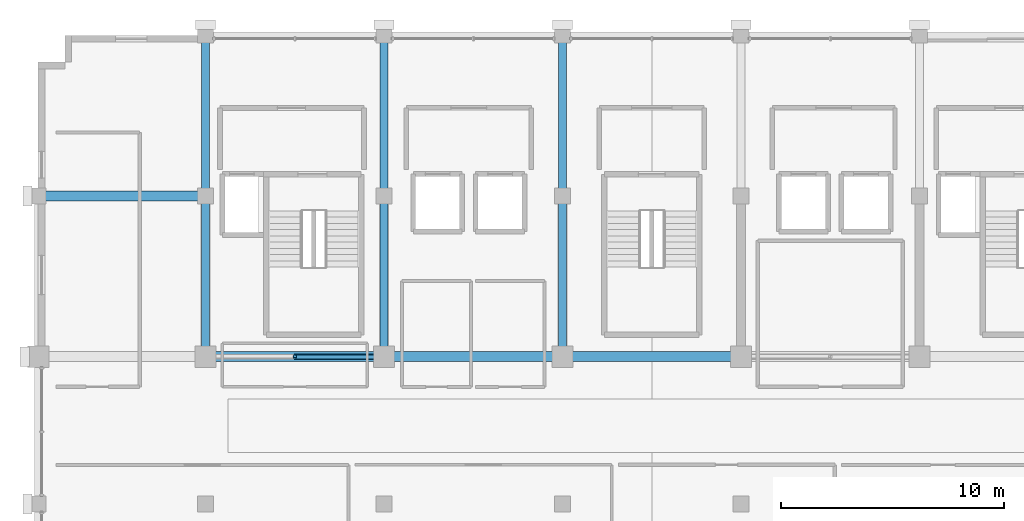
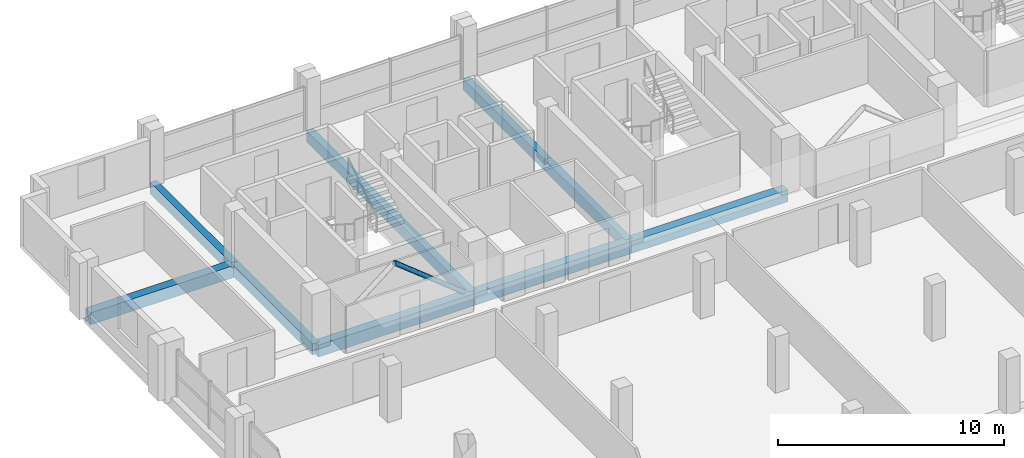
# One storey, part 13 of 25: 10 beams, 1 member.
"""IFC4 building model written with IfcOpenShell, lengths in metres."""

from ifc_helpers import new_model, si_unit, direction, frame, origin, origin_2d, place, context, subcontext, project, spatial, rectangle, hollow_circle, extrude, material, material_profile, profile_set, type_object, element, save


model = new_model("IFC4")

# Units and contexts
model_context = context("Model", 3, precision=1e-05, world=origin(), true_north=direction((0.0, 1.0)))
body_context = subcontext(model_context, "Body", "Model", "MODEL_VIEW")
ifc_project = project(units=[si_unit("LENGTHUNIT", "METRE"), si_unit("AREAUNIT", "SQUARE_METRE"), si_unit("VOLUMEUNIT", "CUBIC_METRE"), si_unit("PLANEANGLEUNIT", "RADIAN"), si_unit("MASSUNIT", "GRAM", prefix="KILO")], contexts=[model_context])

# Site, building, storey
site_placement = place(None, origin())
site = spatial("IfcSite", under=ifc_project, at=site_placement, CompositionType="ELEMENT")
building_placement = place(site_placement, origin())
building = spatial("IfcBuilding", under=site, at=building_placement, Name="Akrevak Sports Hall", CompositionType="ELEMENT")
storey_placement = place(building_placement, frame((0.0, 0.0, 50.300048828125)))
storey = spatial("IfcBuildingStorey", under=building, at=storey_placement, Name="L12", CompositionType="ELEMENT", Elevation=50.300048828125)

# Beams
ifc_material_1 = material(Name="Concrete C40/50", Category="concrete")
ifc_material_profile_1 = material_profile(ifc_material_1, rectangle(XDim=0.35009765625, YDim=0.60009765625, at=origin_2d()), Name="BM 350x600", Category="concrete")
ifc_profile_set_1 = profile_set([ifc_material_profile_1], Name="Concrete C40/50")
beam_type_1 = type_object("IfcBeamType", Name="STR-BM-RC350x600", PredefinedType="BEAM", material=ifc_profile_set_1)
beam_1_placement = place(storey_placement, frame((60.0, 55.199951171875, -0.300048828125), z_axis=(0.0, 1.0, 0.0), x_axis=(-1.0, 0.0, 0.0)))
element("IfcBeam", 1, at=beam_1_placement, inside=storey, type_object=beam_type_1, Name="Girder 9/I-J (L12)", PredefinedType="BEAM", context=body_context, shape_type="SweptSolid", body=[
    extrude(rectangle(XDim=0.35009765625, YDim=0.60009765625, at=origin_2d()), origin(), (0.0, 0.0, 1.0), 7.199951171875),
])
beam_2_placement = place(storey_placement, frame((60.0, 62.39990234375, -0.300048828125), z_axis=(0.0, 1.0, 0.0), x_axis=(-1.0, 0.0, 0.0)))
element("IfcBeam", 2, at=beam_2_placement, inside=storey, type_object=beam_type_1, Name="Girder 9/J-K (L12)", PredefinedType="BEAM", context=body_context, shape_type="SweptSolid", body=[
    extrude(rectangle(XDim=0.35009765625, YDim=0.60009765625, at=origin_2d()), origin(), (0.0, 0.0, 1.0), 7.2001953125),
])
beam_3_placement = place(storey_placement, frame((68.0, 55.199951171875, -0.300048828125), z_axis=(0.0, 1.0, 0.0), x_axis=(-1.0, 0.0, 0.0)))
element("IfcBeam", 3, at=beam_3_placement, inside=storey, type_object=beam_type_1, Name="Girder 10/I-J (L12)", PredefinedType="BEAM", context=body_context, shape_type="SweptSolid", body=[
    extrude(rectangle(XDim=0.35009765625, YDim=0.60009765625, at=origin_2d()), origin(), (0.0, 0.0, 1.0), 7.199951171875),
])
beam_4_placement = place(storey_placement, frame((68.0, 62.39990234375, -0.300048828125), z_axis=(0.0, 1.0, 0.0), x_axis=(-1.0, 0.0, 0.0)))
element("IfcBeam", 4, at=beam_4_placement, inside=storey, type_object=beam_type_1, Name="Girder 10/J-K (L12)", PredefinedType="BEAM", context=body_context, shape_type="SweptSolid", body=[
    extrude(rectangle(XDim=0.35009765625, YDim=0.60009765625, at=origin_2d()), origin(), (0.0, 0.0, 1.0), 7.2001953125),
])
beam_5_placement = place(storey_placement, frame((76.0, 55.199951171875, -0.300048828125), z_axis=(0.0, 1.0, 0.0), x_axis=(-1.0, 0.0, 0.0)))
element("IfcBeam", 5, at=beam_5_placement, inside=storey, type_object=beam_type_1, Name="Girder 11/I-J (L12)", PredefinedType="BEAM", context=body_context, shape_type="SweptSolid", body=[
    extrude(rectangle(XDim=0.35009765625, YDim=0.60009765625, at=origin_2d()), origin(), (0.0, 0.0, 1.0), 7.199951171875),
])
beam_6_placement = place(storey_placement, frame((76.0, 62.39990234375, -0.300048828125), z_axis=(0.0, 1.0, 0.0), x_axis=(-1.0, 0.0, 0.0)))
element("IfcBeam", 6, at=beam_6_placement, inside=storey, type_object=beam_type_1, Name="Girder 11/J-K (L12)", PredefinedType="BEAM", context=body_context, shape_type="SweptSolid", body=[
    extrude(rectangle(XDim=0.35009765625, YDim=0.60009765625, at=origin_2d()), origin(), (0.0, 0.0, 1.0), 7.2001953125),
])
ifc_material_profile_2 = material_profile(ifc_material_1, rectangle(XDim=0.449951171875, YDim=0.64990234375, at=origin_2d()), Name="BM 450x650", Category="concrete")
ifc_profile_set_2 = profile_set([ifc_material_profile_2], Name="Concrete C40/50")
beam_type_2 = type_object("IfcBeamType", Name="STR-BM-RC450x650", PredefinedType="BEAM", material=ifc_profile_set_2)
for number, where, z_axis, x_axis, name in (
    (7, (60.0, 55.199951171875, -0.324951171875), (1.0, 0.0, 0.0), (0.0, 1.0, 0.0), "Girder I/9-10 (L12)"),
    (8, (68.0, 55.199951171875, -0.324951171875), (1.0, 0.0, 0.0), (0.0, 1.0, 0.0), "Girder I/10-11 (L12)"),
    (9, (76.0, 55.199951171875, -0.324951171875), (1.0, 0.0, 0.0), (0.0, 1.0, 0.0), "Girder I/11-12 (L12)"),
):
    element("IfcBeam", number, at=place(storey_placement, frame(where, z_axis=z_axis, x_axis=x_axis)), inside=storey, type_object=beam_type_2, Name=name, PredefinedType="BEAM", context=body_context, shape_type="SweptSolid", body=[
        extrude(rectangle(XDim=0.449951171875, YDim=0.64990234375, at=origin_2d()), origin(), (0.0, 0.0, 1.0), 8.0),
    ])
beam_7_placement = place(storey_placement, frame((52.5, 62.39990234375, -0.324951171875), z_axis=(1.0, 0.0, 0.0), x_axis=(0.0, 1.0, 0.0)))
element("IfcBeam", 10, at=beam_7_placement, inside=storey, type_object=beam_type_2, Name="Girder J/8-9 (L12)", PredefinedType="BEAM", context=body_context, shape_type="SweptSolid", body=[
    extrude(rectangle(XDim=0.449951171875, YDim=0.64990234375, at=origin_2d()), origin(), (0.0, 0.0, 1.0), 7.5),
])

# Member
ifc_material_2 = material(Name="Steel S355", Category="steel")
ifc_material_profile_3 = material_profile(ifc_material_2, hollow_circle(Radius=0.122314453125, WallThickness=0.012451171875, at=origin_2d()), Name="CHS 244.5x12.5", Category="steel")
ifc_profile_set_3 = profile_set([ifc_material_profile_3], Name="Steel S355")
member_type = type_object("IfcMemberType", Name="STR-MEM-BRACE-CHS244", PredefinedType="BRACE", material=ifc_profile_set_3)
member_placement = place(storey_placement, frame((67.550048828125, 55.199951171875, 0.099853515625), z_axis=(-0.781937911139, 0.0, 0.623356321155), x_axis=(0.0, -1.0, 0.0)))
element("IfcMember", 11, at=member_placement, inside=storey, type_object=member_type, Name="Tower Chevron Steel Brace L12-5B", PredefinedType="BRACE", context=body_context, shape_type="SweptSolid", body=[
    extrude(hollow_circle(Radius=0.122314453125, WallThickness=0.012451171875, at=origin_2d()), origin(), (0.0, 0.0, 1.0), 4.5400390625),
])

save(model, "model.ifc")
